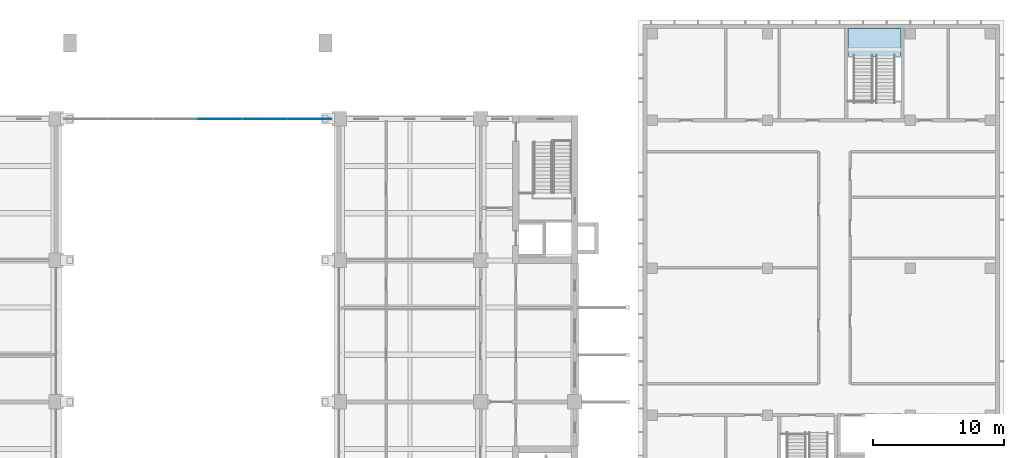
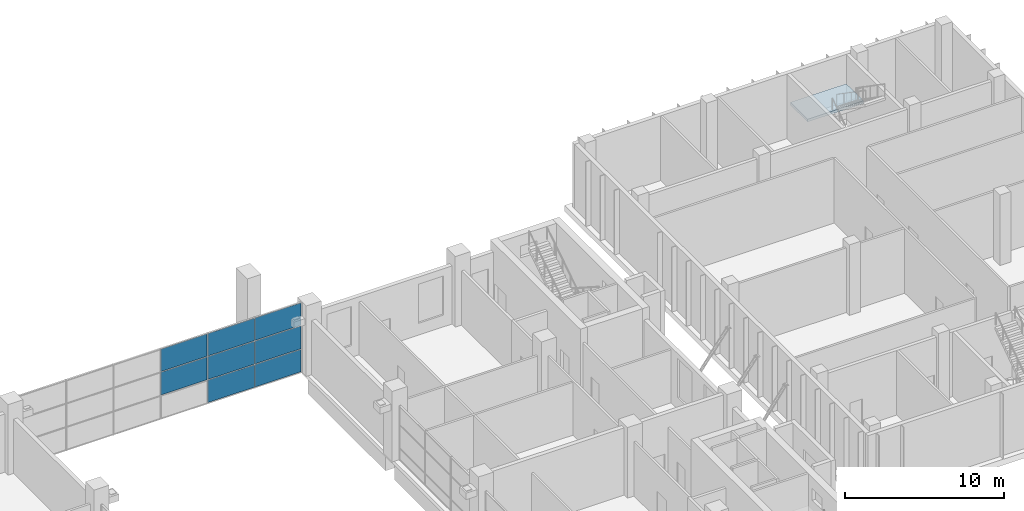
# One storey, part 16 of 38: 8 plates, 1 slab, 2 elements without a shape of their own.
"""IFC4 building model written with IfcOpenShell, lengths in metres."""

from ifc_helpers import new_model, si_unit, direction, frame, origin, origin_2d, place, context, subcontext, project, spatial, polyline, rectangle, outline, extrude, material, layer, layer_set, type_object, element, aggregate, save


model = new_model("IFC4")

# Units and contexts
model_context = context("Model", 3, precision=1e-05, world=origin(), true_north=direction((0.0, 1.0)))
body_context = subcontext(model_context, "Body", "Model", "MODEL_VIEW")
ifc_project = project(units=[si_unit("LENGTHUNIT", "METRE"), si_unit("AREAUNIT", "SQUARE_METRE"), si_unit("VOLUMEUNIT", "CUBIC_METRE"), si_unit("PLANEANGLEUNIT", "RADIAN"), si_unit("MASSUNIT", "GRAM", prefix="KILO")], contexts=[model_context])

# Site, building, storey
site_placement = place(None, origin())
site = spatial("IfcSite", under=ifc_project, at=site_placement, CompositionType="ELEMENT")
building_placement = place(site_placement, origin())
building = spatial("IfcBuilding", under=site, at=building_placement, Name="Basin Gate Institute", CompositionType="ELEMENT")
storey_placement = place(building_placement, frame((0.0, 0.0, 16.800048828125)))
storey = spatial("IfcBuildingStorey", under=building, at=storey_placement, Name="L03", CompositionType="ELEMENT", Elevation=16.800048828125)

# Curtain wall, plates
ifc_material_1 = material(Name="Aluminium and glass curtain wall", Category="aluminium")
ifc_layer_1 = layer(ifc_material_1, 0.14990234375)
ifc_layer_set_1 = layer_set([ifc_layer_1], Name="Atrium curtain wall CW81")
curtain_wall_type = type_object("IfcCurtainWallType", Name="Atrium curtain wall CW81", PredefinedType="NOTDEFINED", material=ifc_layer_set_1)
curtain_wall_placement = place(storey_placement, origin())
curtain_wall = element("IfcCurtainWall", 1, at=curtain_wall_placement, inside=storey, type_object=curtain_wall_type, material=ifc_layer_set_1, Name="Atrium end screen N L03", PredefinedType="NOTDEFINED")
ifc_material_2 = material(Name="Toughened glass", Category="glass")
ifc_layer_2 = layer(ifc_material_2, 0.028076171875)
ifc_layer_set_2 = layer_set([ifc_layer_2], Name="Atrium glass panel PN81")
plate_type = type_object("IfcPlateType", Name="Atrium glass panel PN81", PredefinedType="CURTAIN_PANEL", material=ifc_layer_set_2)
plate_1_placement = place(storey_placement, frame((91.708251953125, 99.89990234375, 1.830078125), z_axis=(0.0, 0.0, 1.0), x_axis=(1.0, 0.0, 0.0)))
plate_1 = element("IfcPlate", 2, at=plate_1_placement, type_object=plate_type, material=ifc_layer_set_2, Name="CW81 panel 4.2", PredefinedType="CURTAIN_PANEL", context=body_context, shape_type="SweptSolid", body=[
    extrude(rectangle(XDim=3.356689453125, YDim=0.028076171875, at=origin_2d()), origin(), (0.0, 0.0, 1.0), 1.739990234375),
])
plate_2_placement = place(storey_placement, frame((91.708251953125, 99.89990234375, 3.6298828125), z_axis=(0.0, 0.0, 1.0), x_axis=(1.0, 0.0, 0.0)))
plate_2 = element("IfcPlate", 3, at=plate_2_placement, type_object=plate_type, material=ifc_layer_set_2, Name="CW81 panel 4.3", PredefinedType="CURTAIN_PANEL", context=body_context, shape_type="SweptSolid", body=[
    extrude(rectangle(XDim=3.356689453125, YDim=0.028076171875, at=origin_2d()), origin(), (0.0, 0.0, 1.0), 1.7099609375),
])
plate_3_placement = place(storey_placement, frame((95.125, 99.89990234375, 0.06005859375), z_axis=(0.0, 0.0, 1.0), x_axis=(1.0, 0.0, 0.0)))
plate_3 = element("IfcPlate", 4, at=plate_3_placement, type_object=plate_type, material=ifc_layer_set_2, Name="CW81 panel 5.1", PredefinedType="CURTAIN_PANEL", context=body_context, shape_type="SweptSolid", body=[
    extrude(rectangle(XDim=3.356689453125, YDim=0.028076171875, at=origin_2d()), origin(), (0.0, 0.0, 1.0), 1.7099609375),
])
plate_4_placement = place(storey_placement, frame((95.125, 99.89990234375, 1.830078125), z_axis=(0.0, 0.0, 1.0), x_axis=(1.0, 0.0, 0.0)))
plate_4 = element("IfcPlate", 5, at=plate_4_placement, type_object=plate_type, material=ifc_layer_set_2, Name="CW81 panel 5.2", PredefinedType="CURTAIN_PANEL", context=body_context, shape_type="SweptSolid", body=[
    extrude(rectangle(XDim=3.356689453125, YDim=0.028076171875, at=origin_2d()), origin(), (0.0, 0.0, 1.0), 1.739990234375),
])
plate_5_placement = place(storey_placement, frame((95.125, 99.89990234375, 3.6298828125), z_axis=(0.0, 0.0, 1.0), x_axis=(1.0, 0.0, 0.0)))
plate_5 = element("IfcPlate", 6, at=plate_5_placement, type_object=plate_type, material=ifc_layer_set_2, Name="CW81 panel 5.3", PredefinedType="CURTAIN_PANEL", context=body_context, shape_type="SweptSolid", body=[
    extrude(rectangle(XDim=3.356689453125, YDim=0.028076171875, at=origin_2d()), origin(), (0.0, 0.0, 1.0), 1.7099609375),
])
plate_6_placement = place(storey_placement, frame((98.526611328125, 99.89990234375, 0.06005859375), z_axis=(0.0, 0.0, 1.0), x_axis=(1.0, 0.0, 0.0)))
plate_6 = element("IfcPlate", 7, at=plate_6_placement, type_object=plate_type, material=ifc_layer_set_2, Name="CW81 panel 6.1", PredefinedType="CURTAIN_PANEL", context=body_context, shape_type="SweptSolid", body=[
    extrude(rectangle(XDim=3.32666015625, YDim=0.028076171875, at=origin_2d()), origin(), (0.0, 0.0, 1.0), 1.7099609375),
])
plate_7_placement = place(storey_placement, frame((98.526611328125, 99.89990234375, 1.830078125), z_axis=(0.0, 0.0, 1.0), x_axis=(1.0, 0.0, 0.0)))
plate_7 = element("IfcPlate", 8, at=plate_7_placement, type_object=plate_type, material=ifc_layer_set_2, Name="CW81 panel 6.2", PredefinedType="CURTAIN_PANEL", context=body_context, shape_type="SweptSolid", body=[
    extrude(rectangle(XDim=3.32666015625, YDim=0.028076171875, at=origin_2d()), origin(), (0.0, 0.0, 1.0), 1.739990234375),
])
plate_8_placement = place(storey_placement, frame((98.526611328125, 99.89990234375, 3.6298828125), z_axis=(0.0, 0.0, 1.0), x_axis=(1.0, 0.0, 0.0)))
plate_8 = element("IfcPlate", 9, at=plate_8_placement, type_object=plate_type, material=ifc_layer_set_2, Name="CW81 panel 6.3", PredefinedType="CURTAIN_PANEL", context=body_context, shape_type="SweptSolid", body=[
    extrude(rectangle(XDim=3.32666015625, YDim=0.028076171875, at=origin_2d()), origin(), (0.0, 0.0, 1.0), 1.7099609375),
])
aggregate(curtain_wall, [plate_1, plate_2, plate_3, plate_4, plate_5, plate_6, plate_7, plate_8])

# Stair, slab
ifc_material_3 = material(Name="Concrete 40 MPa", Category="concrete")
stair_type = type_object("IfcStairType", Name="Block stair ST", PredefinedType="HALF_TURN_STAIR", material=ifc_material_3)
stair_placement = place(storey_placement, origin())
stair = element("IfcStair", 10, at=stair_placement, inside=storey, type_object=stair_type, material=ifc_material_3, Name="Clean block stair ST-C8 L03", PredefinedType="HALF_TURN_STAIR")
ifc_material_4 = material(Name="Concrete 40 MPa", Category="concrete")
ifc_layer_3 = layer(ifc_material_4, 0.199951171875)
ifc_layer_set_3 = layer_set([ifc_layer_3], Name="Concrete 40 MPa")
slab_type = type_object("IfcSlabType", Name="Block stair landing", PredefinedType="LANDING", material=ifc_layer_set_3)
slab_placement = place(storey_placement, frame((0.0, 0.0, 2.5)))
slab = element("IfcSlab", 11, at=slab_placement, type_object=slab_type, material=ifc_layer_set_3, Name="ST-C8 landing 1", PredefinedType="LANDING", context=body_context, shape_type="SweptSolid", body=[
    extrude(outline(polyline([(139.625, 104.64501953125), (143.675048828125, 104.64501953125), (143.675048828125, 106.800048828125), (139.625, 106.800048828125), (139.625, 104.64501953125)])), origin(), (0.0, 0.0, 1.0), 0.199951171875),
])
aggregate(stair, [slab])

save(model, "model.ifc")
